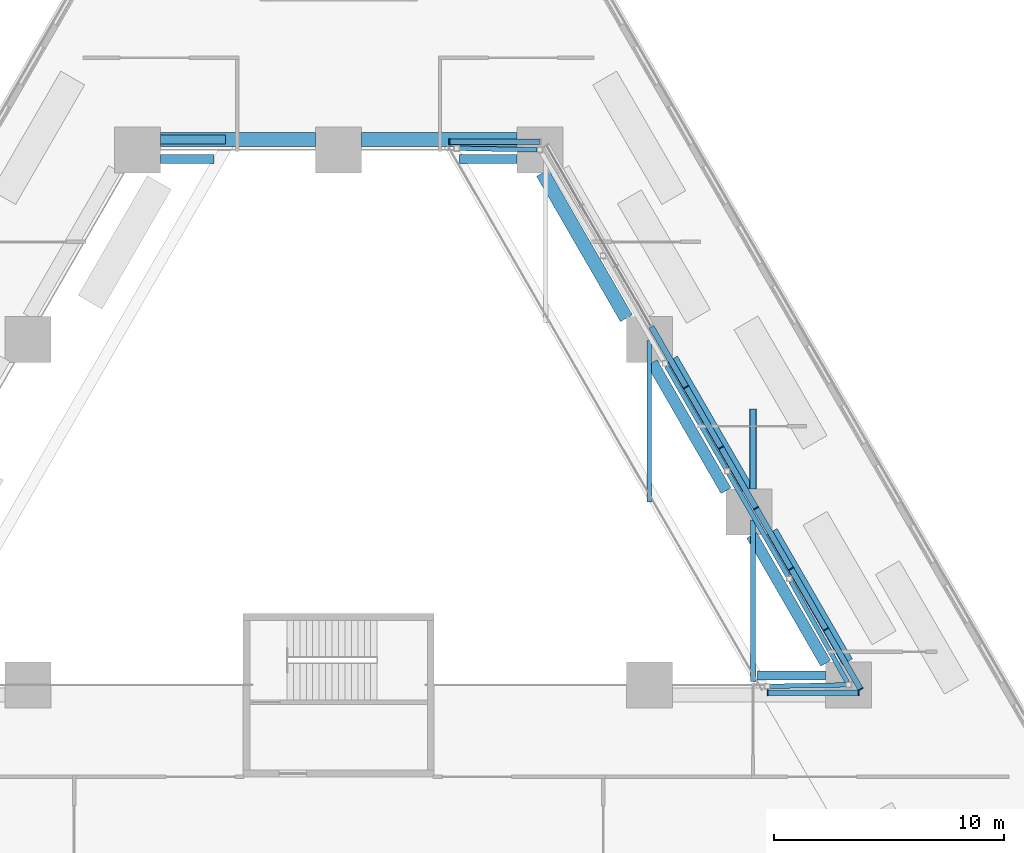
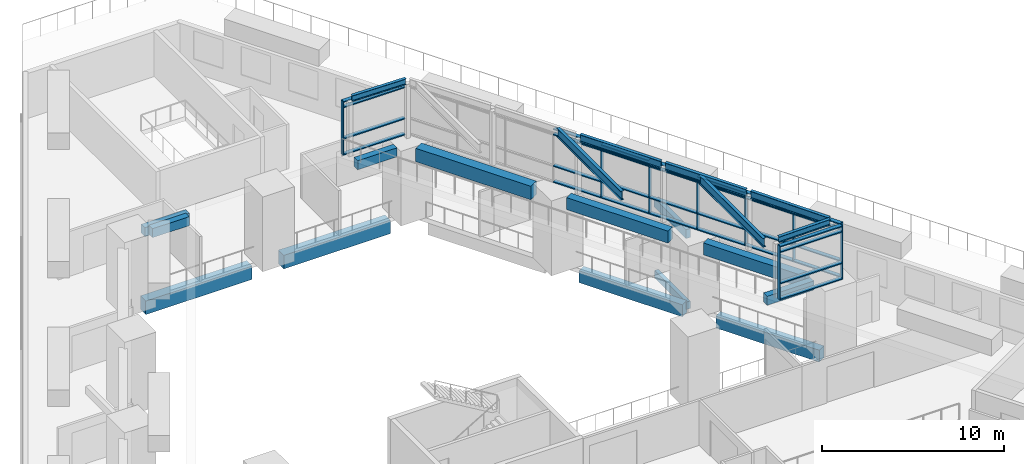
# One storey, part 4 of 19: 41 members, 20 beams, 3 elements without a shape of their own.
"""IFC4 building model written with IfcOpenShell, lengths in metres."""

from ifc_helpers import new_model, si_unit, direction, frame, origin, origin_2d, place, context, subcontext, project, spatial, rectangle, i_section, extrude, material, material_profile, profile_set, type_object, element, aggregate, save


model = new_model("IFC4")

# Units and contexts
model_context = context("Model", 3, precision=1e-05, world=origin(), true_north=direction((0.0, 1.0)))
body_context = subcontext(model_context, "Body", "Model", "MODEL_VIEW")
ifc_project = project(units=[si_unit("LENGTHUNIT", "METRE"), si_unit("AREAUNIT", "SQUARE_METRE"), si_unit("VOLUMEUNIT", "CUBIC_METRE"), si_unit("PLANEANGLEUNIT", "RADIAN"), si_unit("MASSUNIT", "GRAM", prefix="KILO")], contexts=[model_context])

# Site, building, storey
site_placement = place(None, origin())
site = spatial("IfcSite", under=ifc_project, at=site_placement, CompositionType="ELEMENT")
building_placement = place(site_placement, origin())
building = spatial("IfcBuilding", under=site, at=building_placement, Name="Fogline Exchange Tower", CompositionType="ELEMENT")
storey_placement = place(building_placement, frame((0.0, 0.0, 20.0)))
storey = spatial("IfcBuildingStorey", under=building, at=storey_placement, Name="L03", CompositionType="ELEMENT", Elevation=20.0)

# Beams
ifc_material_1 = material(Name="Concrete C40", Category="concrete")
ifc_material_profile_1 = material_profile(ifc_material_1, rectangle(XDim=0.300048828125, YDim=0.60009765625, at=origin_2d()), Name="RC 300x600")
ifc_profile_set_1 = profile_set([ifc_material_profile_1], Name="Concrete C40")
beam_type_1 = type_object("IfcBeamType", Name="B06", PredefinedType="BEAM", material=ifc_profile_set_1)
beam_1_placement = place(storey_placement, frame((18.0, 41.258056640625, 4.25), z_axis=(0.0, 1.0, 0.0), x_axis=(-1.0, 0.0, 0.0)))
element("IfcBeam", 1, at=beam_1_placement, inside=storey, type_object=beam_type_1, Name="SBT018", PredefinedType="BEAM", context=body_context, shape_type="SweptSolid", body=[
    extrude(rectangle(XDim=0.300048828125, YDim=0.60009765625, at=origin_2d()), origin(), (0.0, 0.0, 1.0), 3.491943359375),
])
ifc_material_profile_2 = material_profile(ifc_material_1, rectangle(XDim=0.25, YDim=0.5, at=origin_2d()), Name="RC 250x500")
ifc_profile_set_2 = profile_set([ifc_material_profile_2], Name="Concrete C40")
beam_type_2 = type_object("IfcBeamType", Name="B08", PredefinedType="BEAM", material=ifc_profile_set_2)
beam_2_placement = place(storey_placement, frame((18.0, 41.258056640625, -0.550048828125), z_axis=(0.0, 1.0, 0.0), x_axis=(-1.0, 0.0, 0.0)))
element("IfcBeam", 2, at=beam_2_placement, inside=storey, type_object=beam_type_2, Name="SB029", PredefinedType="BEAM", context=body_context, shape_type="SweptSolid", body=[
    extrude(rectangle(XDim=0.25, YDim=0.5, at=origin_2d()), origin(), (0.0, 0.0, 1.0), 3.491943359375),
])
ifc_material_profile_3 = material_profile(ifc_material_1, rectangle(XDim=0.60009765625, YDim=0.89990234375, at=origin_2d()), Name="RC 600x900")
ifc_profile_set_3 = profile_set([ifc_material_profile_3], Name="Concrete C40")
beam_type_3 = type_object("IfcBeamType", Name="B09", PredefinedType="BEAM", material=ifc_profile_set_3)
for number, where, z_axis, x_axis, name in (
    (3, (-7.739990234375, 56.449951171875, -0.75), (1.0, 0.0, 0.0), (0.0, 1.0, 0.0), "RB001"),
    (4, (1.0, 56.449951171875, -0.75), (1.0, 0.0, 0.0), (0.0, 1.0, 0.0), "RB002"),
):
    element("IfcBeam", number, at=place(storey_placement, frame(where, z_axis=z_axis, x_axis=x_axis)), inside=storey, type_object=beam_type_3, Name=name, PredefinedType="BEAM", context=body_context, shape_type="SweptSolid", body=[
        extrude(rectangle(XDim=0.60009765625, YDim=0.89990234375, at=origin_2d()), origin(), (0.0, 0.0, 1.0), 6.739990234375),
    ])
beam_3_placement = place(storey_placement, frame((8.855712890625, 55.0, 4.550048828125), z_axis=(0.499990172084, -0.86603107786, 0.0), x_axis=(0.86603107786, 0.499990172084, 0.0)))
element("IfcBeam", 5, at=beam_3_placement, inside=storey, type_object=beam_type_3, Name="LBT009", PredefinedType="BEAM", context=body_context, shape_type="SweptSolid", body=[
    extrude(rectangle(XDim=0.60009765625, YDim=0.89990234375, at=origin_2d()), origin(), (0.0, 0.0, 1.0), 7.288818359375),
])
ifc_material_profile_4 = material_profile(ifc_material_1, rectangle(XDim=0.5, YDim=0.800048828125, at=origin_2d()), Name="RC 500x800")
ifc_profile_set_4 = profile_set([ifc_material_profile_4], Name="Concrete C40")
beam_type_4 = type_object("IfcBeamType", Name="B10", PredefinedType="BEAM", material=ifc_profile_set_4)
beam_4_placement = place(storey_placement, frame((14.5, 46.923583984375, -0.699951171875), z_axis=(0.500000270186, -0.866025247793, 0.0), x_axis=(0.866025247793, 0.500000270186, 0.0)))
element("IfcBeam", 6, at=beam_4_placement, inside=storey, type_object=beam_type_4, Name="RB004", PredefinedType="BEAM", context=body_context, shape_type="SweptSolid", body=[
    extrude(rectangle(XDim=0.5, YDim=0.800048828125, at=origin_2d()), origin(), (0.0, 0.0, 1.0), 6.5419921875),
])
beam_5_placement = place(storey_placement, frame((18.8291015625, 39.42578125, -0.699951171875), z_axis=(0.499984111004, -0.866034577106, 0.0), x_axis=(0.866034577106, 0.499984111004, 0.0)))
element("IfcBeam", 7, at=beam_5_placement, inside=storey, type_object=beam_type_4, Name="RB005", PredefinedType="BEAM", context=body_context, shape_type="SweptSolid", body=[
    extrude(rectangle(XDim=0.5, YDim=0.800048828125, at=origin_2d()), origin(), (0.0, 0.0, 1.0), 6.542236328125),
])
for number, where, z_axis, x_axis, name in (
    (8, (13.615234375, 46.756103515625, 4.60009765625), (0.500011789842, -0.866018596809, 0.0), (0.866018596809, 0.500011789842, 0.0), "LBT010"),
    (9, (17.9443359375, 39.258056640625, 4.60009765625), (0.499983302024, -0.866035044151, 0.0), (0.866035044151, 0.499983302024, 0.0), "LBT011"),
):
    element("IfcBeam", number, at=place(storey_placement, frame(where, z_axis=z_axis, x_axis=x_axis)), inside=storey, type_object=beam_type_4, Name=name, PredefinedType="BEAM", context=body_context, shape_type="SweptSolid", body=[
        extrude(rectangle(XDim=0.5, YDim=0.800048828125, at=origin_2d()), origin(), (0.0, 0.0, 1.0), 6.427490234375),
    ])
ifc_material_profile_5 = material_profile(ifc_material_1, rectangle(XDim=0.39990234375, YDim=0.60009765625, at=origin_2d()), Name="RC 400x600")
ifc_profile_set_5 = profile_set([ifc_material_profile_5], Name="Concrete C40")
beam_type_5 = type_object("IfcBeamType", Name="B11", PredefinedType="BEAM", material=ifc_profile_set_5)
beam_6_placement = place(storey_placement, frame((-7.739990234375, 56.449951171875, 4.25), z_axis=(1.0, 0.0, 0.0), x_axis=(0.0, 1.0, 0.0)))
element("IfcBeam", 10, at=beam_6_placement, inside=storey, type_object=beam_type_5, Name="RBT006", PredefinedType="BEAM", context=body_context, shape_type="SweptSolid", body=[
    extrude(rectangle(XDim=0.39990234375, YDim=0.60009765625, at=origin_2d()), origin(), (0.0, 0.0, 1.0), 2.811767578125),
])
beam_7_placement = place(storey_placement, frame((-7.739990234375, 55.60009765625, 4.699951171875), z_axis=(1.0, 0.0, 0.0), x_axis=(0.0, 1.0, 0.0)))
element("IfcBeam", 11, at=beam_7_placement, inside=storey, type_object=beam_type_5, Name="LBT007", PredefinedType="BEAM", context=body_context, shape_type="SweptSolid", body=[
    extrude(rectangle(XDim=0.39990234375, YDim=0.60009765625, at=origin_2d()), origin(), (0.0, 0.0, 1.0), 2.321044921875),
])
beam_8_placement = place(storey_placement, frame((5.24560546875, 55.60009765625, 4.699951171875), z_axis=(1.0, 0.0, 0.0), x_axis=(0.0, 1.0, 0.0)))
element("IfcBeam", 12, at=beam_8_placement, inside=storey, type_object=beam_type_5, Name="LBT008", PredefinedType="BEAM", context=body_context, shape_type="SweptSolid", body=[
    extrude(rectangle(XDim=0.39990234375, YDim=0.60009765625, at=origin_2d()), origin(), (0.0, 0.0, 1.0), 2.494384765625),
])
beam_9_placement = place(storey_placement, frame((21.157958984375, 33.159912109375, 4.699951171875), z_axis=(-1.0, 0.0, 0.0), x_axis=(0.0, -1.0, 0.0)))
element("IfcBeam", 13, at=beam_9_placement, inside=storey, type_object=beam_type_5, Name="LBT013", PredefinedType="BEAM", context=body_context, shape_type="SweptSolid", body=[
    extrude(rectangle(XDim=0.39990234375, YDim=0.60009765625, at=origin_2d()), origin(), (0.0, 0.0, 1.0), 2.95654296875),
])

# Curtain wall, member
ifc_material_2 = material(Name="Aluminium and glass", Category="aluminium")
curtain_wall_type = type_object("IfcCurtainWallType", Name="CW2", PredefinedType="NOTDEFINED", material=ifc_material_2)
curtain_wall_1_placement = place(storey_placement, origin())
curtain_wall_1 = element("IfcCurtainWall", 14, at=curtain_wall_1_placement, inside=storey, type_object=curtain_wall_type, Name="CW2 lantern run 1", PredefinedType="NOTDEFINED")
ifc_material_3 = material(Name="Aluminium", Category="aluminium")
ifc_material_profile_6 = material_profile(ifc_material_3, rectangle(XDim=0.25, YDim=0.050048828125, at=origin_2d()), Name="Mullion 50x250")
ifc_profile_set_6 = profile_set([ifc_material_profile_6], Name="Aluminium")
member_type_1 = type_object("IfcMemberType", Name="CW2-M", PredefinedType="MULLION", material=ifc_profile_set_6)
member_1_placement = place(storey_placement, frame((4.814453125, 56.35009765625, 5.0), z_axis=(0.0, 0.0, 1.0), x_axis=(0.0, -1.0, 0.0)))
member_1 = element("IfcMember", 15, at=member_1_placement, type_object=member_type_1, Name="CW2-P03-01 mullion 2", PredefinedType="MULLION", context=body_context, shape_type="SweptSolid", body=[
    extrude(rectangle(XDim=0.25, YDim=0.050048828125, at=origin_2d()), origin(), (0.0, 0.0, 1.0), 3.60009765625),
])

# Curtain wall, members
curtain_wall_2_placement = place(storey_placement, origin())
curtain_wall_2 = element("IfcCurtainWall", 16, at=curtain_wall_2_placement, inside=storey, type_object=curtain_wall_type, Name="CW2 lantern run 2", PredefinedType="NOTDEFINED")
member_2_placement = place(storey_placement, frame((18.63623046875, 32.409912109375, 5.0), z_axis=(0.0, 0.0, 1.0), x_axis=(0.0, 1.0, 0.0)))
member_2 = element("IfcMember", 17, at=member_2_placement, type_object=member_type_1, Name="CW2-P03-02 mullion 1", PredefinedType="MULLION", context=body_context, shape_type="SweptSolid", body=[
    extrude(rectangle(XDim=0.25, YDim=0.050048828125, at=origin_2d()), origin(), (0.0, 0.0, 1.0), 3.60009765625),
])
member_3_placement = place(storey_placement, frame((22.589111328125, 32.409912109375, 5.0), z_axis=(0.0, 0.0, 1.0), x_axis=(0.0, 1.0, 0.0)))
member_3 = element("IfcMember", 18, at=member_3_placement, type_object=member_type_1, Name="CW2-P03-02 mullion 2", PredefinedType="MULLION", context=body_context, shape_type="SweptSolid", body=[
    extrude(rectangle(XDim=0.25, YDim=0.050048828125, at=origin_2d()), origin(), (0.0, 0.0, 1.0), 3.60009765625),
])

curtain_wall_3_placement = place(storey_placement, origin())
curtain_wall_3 = element("IfcCurtainWall", 19, at=curtain_wall_3_placement, inside=storey, type_object=curtain_wall_type, Name="CW2 lantern run 3", PredefinedType="NOTDEFINED")
member_4_placement = place(storey_placement, frame((22.676513671875, 32.5615234375, 5.0), z_axis=(0.0, 0.0, 1.0), x_axis=(-0.866025401324, -0.500000004262, 0.0)))
member_4 = element("IfcMember", 20, at=member_4_placement, type_object=member_type_1, Name="CW2-P03-03 mullion 1", PredefinedType="MULLION", context=body_context, shape_type="SweptSolid", body=[
    extrude(rectangle(XDim=0.25, YDim=0.050048828125, at=origin_2d()), origin(), (0.0, 0.0, 1.0), 3.60009765625),
])
member_5_placement = place(storey_placement, frame((21.169921875, 35.171142578125, 5.0), z_axis=(0.0, 0.0, 1.0), x_axis=(-0.866025401324, -0.500000004262, 0.0)))
member_5 = element("IfcMember", 21, at=member_5_placement, type_object=member_type_1, Name="CW2-P03-03 mullion 2", PredefinedType="MULLION", context=body_context, shape_type="SweptSolid", body=[
    extrude(rectangle(XDim=0.25, YDim=0.050048828125, at=origin_2d()), origin(), (0.0, 0.0, 1.0), 3.60009765625),
])
member_6_placement = place(storey_placement, frame((19.65087890625, 37.80224609375, 5.0), z_axis=(0.0, 0.0, 1.0), x_axis=(-0.866025401324, -0.500000004262, 0.0)))
member_6 = element("IfcMember", 22, at=member_6_placement, type_object=member_type_1, Name="CW2-P03-03 mullion 3", PredefinedType="MULLION", context=body_context, shape_type="SweptSolid", body=[
    extrude(rectangle(XDim=0.25, YDim=0.050048828125, at=origin_2d()), origin(), (0.0, 0.0, 1.0), 3.60009765625),
])
member_7_placement = place(storey_placement, frame((18.1318359375, 40.433349609375, 5.0), z_axis=(0.0, 0.0, 1.0), x_axis=(-0.866025401324, -0.500000004262, 0.0)))
member_7 = element("IfcMember", 23, at=member_7_placement, type_object=member_type_1, Name="CW2-P03-03 mullion 4", PredefinedType="MULLION", context=body_context, shape_type="SweptSolid", body=[
    extrude(rectangle(XDim=0.25, YDim=0.050048828125, at=origin_2d()), origin(), (0.0, 0.0, 1.0), 3.60009765625),
])
member_8_placement = place(storey_placement, frame((16.61279296875, 43.064453125, 5.0), z_axis=(0.0, 0.0, 1.0), x_axis=(-0.866025401324, -0.500000004262, 0.0)))
member_8 = element("IfcMember", 24, at=member_8_placement, type_object=member_type_1, Name="CW2-P03-03 mullion 5", PredefinedType="MULLION", context=body_context, shape_type="SweptSolid", body=[
    extrude(rectangle(XDim=0.25, YDim=0.050048828125, at=origin_2d()), origin(), (0.0, 0.0, 1.0), 3.60009765625),
])
member_9_placement = place(storey_placement, frame((15.093505859375, 45.695556640625, 5.0), z_axis=(0.0, 0.0, 1.0), x_axis=(-0.866025401324, -0.500000004262, 0.0)))
member_9 = element("IfcMember", 25, at=member_9_placement, type_object=member_type_1, Name="CW2-P03-03 mullion 6", PredefinedType="MULLION", context=body_context, shape_type="SweptSolid", body=[
    extrude(rectangle(XDim=0.25, YDim=0.050048828125, at=origin_2d()), origin(), (0.0, 0.0, 1.0), 3.60009765625),
])

# Member
ifc_material_profile_7 = material_profile(ifc_material_3, rectangle(XDim=0.25, YDim=0.070068359375, at=origin_2d()), Name="Transom 70x250")
ifc_profile_set_7 = profile_set([ifc_material_profile_7], Name="Aluminium")
member_type_2 = type_object("IfcMemberType", Name="CW2-T", PredefinedType="USERDEFINED", material=ifc_profile_set_7)
member_10_placement = place(storey_placement, frame((8.7421875, 56.35009765625, 5.034912109375), z_axis=(-1.0, 0.0, 0.0), x_axis=(0.0, -1.0, 0.0)))
member_10 = element("IfcMember", 26, at=member_10_placement, type_object=member_type_2, Name="CW2-P03-01 transom 1.1", ObjectType="TRANSOM", PredefinedType="USERDEFINED", context=body_context, shape_type="SweptSolid", body=[
    extrude(rectangle(XDim=0.25, YDim=0.070068359375, at=origin_2d()), origin(), (0.0, 0.0, 1.0), 3.902587890625),
])

member_11_placement = place(storey_placement, frame((8.7421875, 56.35009765625, 6.10009765625), z_axis=(-1.0, 0.0, 0.0), x_axis=(0.0, -1.0, 0.0)))
member_11 = element("IfcMember", 27, at=member_11_placement, type_object=member_type_2, Name="CW2-P03-01 transom 1.2", ObjectType="TRANSOM", PredefinedType="USERDEFINED", context=body_context, shape_type="SweptSolid", body=[
    extrude(rectangle(XDim=0.25, YDim=0.070068359375, at=origin_2d()), origin(), (0.0, 0.0, 1.0), 3.902587890625),
])

member_12_placement = place(storey_placement, frame((8.7421875, 56.35009765625, 8.199951171875), z_axis=(-1.0, 0.0, 0.0), x_axis=(0.0, -1.0, 0.0)))
member_12 = element("IfcMember", 28, at=member_12_placement, type_object=member_type_2, Name="CW2-P03-01 transom 1.3", ObjectType="TRANSOM", PredefinedType="USERDEFINED", context=body_context, shape_type="SweptSolid", body=[
    extrude(rectangle(XDim=0.25, YDim=0.070068359375, at=origin_2d()), origin(), (0.0, 0.0, 1.0), 3.902587890625),
])

member_13_placement = place(storey_placement, frame((8.7421875, 56.35009765625, 8.56494140625), z_axis=(-1.0, 0.0, 0.0), x_axis=(0.0, -1.0, 0.0)))
member_13 = element("IfcMember", 29, at=member_13_placement, type_object=member_type_2, Name="CW2-P03-01 transom 1.4", ObjectType="TRANSOM", PredefinedType="USERDEFINED", context=body_context, shape_type="SweptSolid", body=[
    extrude(rectangle(XDim=0.25, YDim=0.070068359375, at=origin_2d()), origin(), (0.0, 0.0, 1.0), 3.902587890625),
])

aggregate(curtain_wall_1, [member_1, member_10, member_11, member_12, member_13])

member_14_placement = place(storey_placement, frame((18.661376953125, 32.409912109375, 5.034912109375), z_axis=(1.0, 0.0, 0.0), x_axis=(0.0, 1.0, 0.0)))
member_14 = element("IfcMember", 30, at=member_14_placement, type_object=member_type_2, Name="CW2-P03-02 transom 1.1", ObjectType="TRANSOM", PredefinedType="USERDEFINED", context=body_context, shape_type="SweptSolid", body=[
    extrude(rectangle(XDim=0.25, YDim=0.070068359375, at=origin_2d()), origin(), (0.0, 0.0, 1.0), 3.902587890625),
])

member_15_placement = place(storey_placement, frame((18.661376953125, 32.409912109375, 6.10009765625), z_axis=(1.0, 0.0, 0.0), x_axis=(0.0, 1.0, 0.0)))
member_15 = element("IfcMember", 31, at=member_15_placement, type_object=member_type_2, Name="CW2-P03-02 transom 1.2", ObjectType="TRANSOM", PredefinedType="USERDEFINED", context=body_context, shape_type="SweptSolid", body=[
    extrude(rectangle(XDim=0.25, YDim=0.070068359375, at=origin_2d()), origin(), (0.0, 0.0, 1.0), 3.902587890625),
])

member_16_placement = place(storey_placement, frame((18.661376953125, 32.409912109375, 8.199951171875), z_axis=(1.0, 0.0, 0.0), x_axis=(0.0, 1.0, 0.0)))
member_16 = element("IfcMember", 32, at=member_16_placement, type_object=member_type_2, Name="CW2-P03-02 transom 1.3", ObjectType="TRANSOM", PredefinedType="USERDEFINED", context=body_context, shape_type="SweptSolid", body=[
    extrude(rectangle(XDim=0.25, YDim=0.070068359375, at=origin_2d()), origin(), (0.0, 0.0, 1.0), 3.902587890625),
])

member_17_placement = place(storey_placement, frame((18.661376953125, 32.409912109375, 8.56494140625), z_axis=(1.0, 0.0, 0.0), x_axis=(0.0, 1.0, 0.0)))
member_17 = element("IfcMember", 33, at=member_17_placement, type_object=member_type_2, Name="CW2-P03-02 transom 1.4", ObjectType="TRANSOM", PredefinedType="USERDEFINED", context=body_context, shape_type="SweptSolid", body=[
    extrude(rectangle(XDim=0.25, YDim=0.070068359375, at=origin_2d()), origin(), (0.0, 0.0, 1.0), 3.902587890625),
])

aggregate(curtain_wall_2, [member_2, member_3, member_14, member_15, member_16, member_17])

member_18_placement = place(storey_placement, frame((22.6640625, 32.583251953125, 5.034912109375), z_axis=(-0.500029124038, 0.86600858836, 0.0), x_axis=(-0.86600858836, -0.500029124038, 0.0)))
member_18 = element("IfcMember", 34, at=member_18_placement, type_object=member_type_2, Name="CW2-P03-03 transom 1.1", ObjectType="TRANSOM", PredefinedType="USERDEFINED", context=body_context, shape_type="SweptSolid", body=[
    extrude(rectangle(XDim=0.25, YDim=0.070068359375, at=origin_2d()), origin(), (0.0, 0.0, 1.0), 2.963134765625),
])

member_19_placement = place(storey_placement, frame((22.6640625, 32.583251953125, 6.10009765625), z_axis=(-0.500029124038, 0.86600858836, 0.0), x_axis=(-0.86600858836, -0.500029124038, 0.0)))
member_19 = element("IfcMember", 35, at=member_19_placement, type_object=member_type_2, Name="CW2-P03-03 transom 1.2", ObjectType="TRANSOM", PredefinedType="USERDEFINED", context=body_context, shape_type="SweptSolid", body=[
    extrude(rectangle(XDim=0.25, YDim=0.070068359375, at=origin_2d()), origin(), (0.0, 0.0, 1.0), 2.963134765625),
])

member_20_placement = place(storey_placement, frame((22.6640625, 32.583251953125, 8.199951171875), z_axis=(-0.500029124038, 0.86600858836, 0.0), x_axis=(-0.86600858836, -0.500029124038, 0.0)))
member_20 = element("IfcMember", 36, at=member_20_placement, type_object=member_type_2, Name="CW2-P03-03 transom 1.3", ObjectType="TRANSOM", PredefinedType="USERDEFINED", context=body_context, shape_type="SweptSolid", body=[
    extrude(rectangle(XDim=0.25, YDim=0.070068359375, at=origin_2d()), origin(), (0.0, 0.0, 1.0), 2.963134765625),
])

member_21_placement = place(storey_placement, frame((22.6640625, 32.583251953125, 8.56494140625), z_axis=(-0.500029124038, 0.86600858836, 0.0), x_axis=(-0.86600858836, -0.500029124038, 0.0)))
member_21 = element("IfcMember", 37, at=member_21_placement, type_object=member_type_2, Name="CW2-P03-03 transom 1.4", ObjectType="TRANSOM", PredefinedType="USERDEFINED", context=body_context, shape_type="SweptSolid", body=[
    extrude(rectangle(XDim=0.25, YDim=0.070068359375, at=origin_2d()), origin(), (0.0, 0.0, 1.0), 2.963134765625),
])

member_22_placement = place(storey_placement, frame((21.157470703125, 35.192626953125, 5.034912109375), z_axis=(-0.500005339912, 0.866022320763, 0.0), x_axis=(-0.866022320763, -0.500005339912, 0.0)))
member_22 = element("IfcMember", 38, at=member_22_placement, type_object=member_type_2, Name="CW2-P03-03 transom 2.1", ObjectType="TRANSOM", PredefinedType="USERDEFINED", context=body_context, shape_type="SweptSolid", body=[
    extrude(rectangle(XDim=0.25, YDim=0.070068359375, at=origin_2d()), origin(), (0.0, 0.0, 1.0), 2.98828125),
])

member_23_placement = place(storey_placement, frame((21.157470703125, 35.192626953125, 6.10009765625), z_axis=(-0.500005339912, 0.866022320763, 0.0), x_axis=(-0.866022320763, -0.500005339912, 0.0)))
member_23 = element("IfcMember", 39, at=member_23_placement, type_object=member_type_2, Name="CW2-P03-03 transom 2.2", ObjectType="TRANSOM", PredefinedType="USERDEFINED", context=body_context, shape_type="SweptSolid", body=[
    extrude(rectangle(XDim=0.25, YDim=0.070068359375, at=origin_2d()), origin(), (0.0, 0.0, 1.0), 2.98828125),
])

member_24_placement = place(storey_placement, frame((21.157470703125, 35.192626953125, 8.199951171875), z_axis=(-0.500005339912, 0.866022320763, 0.0), x_axis=(-0.866022320763, -0.500005339912, 0.0)))
member_24 = element("IfcMember", 40, at=member_24_placement, type_object=member_type_2, Name="CW2-P03-03 transom 2.3", ObjectType="TRANSOM", PredefinedType="USERDEFINED", context=body_context, shape_type="SweptSolid", body=[
    extrude(rectangle(XDim=0.25, YDim=0.070068359375, at=origin_2d()), origin(), (0.0, 0.0, 1.0), 2.98828125),
])

member_25_placement = place(storey_placement, frame((21.157470703125, 35.192626953125, 8.56494140625), z_axis=(-0.500005339912, 0.866022320763, 0.0), x_axis=(-0.866022320763, -0.500005339912, 0.0)))
member_25 = element("IfcMember", 41, at=member_25_placement, type_object=member_type_2, Name="CW2-P03-03 transom 2.4", ObjectType="TRANSOM", PredefinedType="USERDEFINED", context=body_context, shape_type="SweptSolid", body=[
    extrude(rectangle(XDim=0.25, YDim=0.070068359375, at=origin_2d()), origin(), (0.0, 0.0, 1.0), 2.98828125),
])

member_26_placement = place(storey_placement, frame((19.638427734375, 37.82373046875, 5.034912109375), z_axis=(-0.500005339912, 0.866022320763, 0.0), x_axis=(-0.866022320763, -0.500005339912, 0.0)))
member_26 = element("IfcMember", 42, at=member_26_placement, type_object=member_type_2, Name="CW2-P03-03 transom 3.1", ObjectType="TRANSOM", PredefinedType="USERDEFINED", context=body_context, shape_type="SweptSolid", body=[
    extrude(rectangle(XDim=0.25, YDim=0.070068359375, at=origin_2d()), origin(), (0.0, 0.0, 1.0), 2.98828125),
])

member_27_placement = place(storey_placement, frame((19.638427734375, 37.82373046875, 6.10009765625), z_axis=(-0.500005339912, 0.866022320763, 0.0), x_axis=(-0.866022320763, -0.500005339912, 0.0)))
member_27 = element("IfcMember", 43, at=member_27_placement, type_object=member_type_2, Name="CW2-P03-03 transom 3.2", ObjectType="TRANSOM", PredefinedType="USERDEFINED", context=body_context, shape_type="SweptSolid", body=[
    extrude(rectangle(XDim=0.25, YDim=0.070068359375, at=origin_2d()), origin(), (0.0, 0.0, 1.0), 2.98828125),
])

member_28_placement = place(storey_placement, frame((19.638427734375, 37.82373046875, 8.199951171875), z_axis=(-0.500005339912, 0.866022320763, 0.0), x_axis=(-0.866022320763, -0.500005339912, 0.0)))
member_28 = element("IfcMember", 44, at=member_28_placement, type_object=member_type_2, Name="CW2-P03-03 transom 3.3", ObjectType="TRANSOM", PredefinedType="USERDEFINED", context=body_context, shape_type="SweptSolid", body=[
    extrude(rectangle(XDim=0.25, YDim=0.070068359375, at=origin_2d()), origin(), (0.0, 0.0, 1.0), 2.98828125),
])

member_29_placement = place(storey_placement, frame((19.638427734375, 37.82373046875, 8.56494140625), z_axis=(-0.500005339912, 0.866022320763, 0.0), x_axis=(-0.866022320763, -0.500005339912, 0.0)))
member_29 = element("IfcMember", 45, at=member_29_placement, type_object=member_type_2, Name="CW2-P03-03 transom 3.4", ObjectType="TRANSOM", PredefinedType="USERDEFINED", context=body_context, shape_type="SweptSolid", body=[
    extrude(rectangle(XDim=0.25, YDim=0.070068359375, at=origin_2d()), origin(), (0.0, 0.0, 1.0), 2.98828125),
])

member_30_placement = place(storey_placement, frame((18.119384765625, 40.454833984375, 5.034912109375), z_axis=(-0.500005339912, 0.866022320763, 0.0), x_axis=(-0.866022320763, -0.500005339912, 0.0)))
member_30 = element("IfcMember", 46, at=member_30_placement, type_object=member_type_2, Name="CW2-P03-03 transom 4.1", ObjectType="TRANSOM", PredefinedType="USERDEFINED", context=body_context, shape_type="SweptSolid", body=[
    extrude(rectangle(XDim=0.25, YDim=0.070068359375, at=origin_2d()), origin(), (0.0, 0.0, 1.0), 2.98828125),
])

member_31_placement = place(storey_placement, frame((18.119384765625, 40.454833984375, 6.10009765625), z_axis=(-0.500005339912, 0.866022320763, 0.0), x_axis=(-0.866022320763, -0.500005339912, 0.0)))
member_31 = element("IfcMember", 47, at=member_31_placement, type_object=member_type_2, Name="CW2-P03-03 transom 4.2", ObjectType="TRANSOM", PredefinedType="USERDEFINED", context=body_context, shape_type="SweptSolid", body=[
    extrude(rectangle(XDim=0.25, YDim=0.070068359375, at=origin_2d()), origin(), (0.0, 0.0, 1.0), 2.98828125),
])

member_32_placement = place(storey_placement, frame((18.119384765625, 40.454833984375, 8.199951171875), z_axis=(-0.500005339912, 0.866022320763, 0.0), x_axis=(-0.866022320763, -0.500005339912, 0.0)))
member_32 = element("IfcMember", 48, at=member_32_placement, type_object=member_type_2, Name="CW2-P03-03 transom 4.3", ObjectType="TRANSOM", PredefinedType="USERDEFINED", context=body_context, shape_type="SweptSolid", body=[
    extrude(rectangle(XDim=0.25, YDim=0.070068359375, at=origin_2d()), origin(), (0.0, 0.0, 1.0), 2.98828125),
])

member_33_placement = place(storey_placement, frame((18.119384765625, 40.454833984375, 8.56494140625), z_axis=(-0.500005339912, 0.866022320763, 0.0), x_axis=(-0.866022320763, -0.500005339912, 0.0)))
member_33 = element("IfcMember", 49, at=member_33_placement, type_object=member_type_2, Name="CW2-P03-03 transom 4.4", ObjectType="TRANSOM", PredefinedType="USERDEFINED", context=body_context, shape_type="SweptSolid", body=[
    extrude(rectangle(XDim=0.25, YDim=0.070068359375, at=origin_2d()), origin(), (0.0, 0.0, 1.0), 2.98828125),
])

member_34_placement = place(storey_placement, frame((16.60009765625, 43.086181640625, 5.034912109375), z_axis=(-0.499979439554, 0.866037274038, 0.0), x_axis=(-0.866037274038, -0.499979439554, 0.0)))
member_34 = element("IfcMember", 50, at=member_34_placement, type_object=member_type_2, Name="CW2-P03-03 transom 5.1", ObjectType="TRANSOM", PredefinedType="USERDEFINED", context=body_context, shape_type="SweptSolid", body=[
    extrude(rectangle(XDim=0.25, YDim=0.070068359375, at=origin_2d()), origin(), (0.0, 0.0, 1.0), 2.988037109375),
])

member_35_placement = place(storey_placement, frame((16.60009765625, 43.086181640625, 6.10009765625), z_axis=(-0.499979439554, 0.866037274038, 0.0), x_axis=(-0.866037274038, -0.499979439554, 0.0)))
member_35 = element("IfcMember", 51, at=member_35_placement, type_object=member_type_2, Name="CW2-P03-03 transom 5.2", ObjectType="TRANSOM", PredefinedType="USERDEFINED", context=body_context, shape_type="SweptSolid", body=[
    extrude(rectangle(XDim=0.25, YDim=0.070068359375, at=origin_2d()), origin(), (0.0, 0.0, 1.0), 2.988037109375),
])

member_36_placement = place(storey_placement, frame((16.60009765625, 43.086181640625, 8.199951171875), z_axis=(-0.499979439554, 0.866037274038, 0.0), x_axis=(-0.866037274038, -0.499979439554, 0.0)))
member_36 = element("IfcMember", 52, at=member_36_placement, type_object=member_type_2, Name="CW2-P03-03 transom 5.3", ObjectType="TRANSOM", PredefinedType="USERDEFINED", context=body_context, shape_type="SweptSolid", body=[
    extrude(rectangle(XDim=0.25, YDim=0.070068359375, at=origin_2d()), origin(), (0.0, 0.0, 1.0), 2.988037109375),
])

member_37_placement = place(storey_placement, frame((16.60009765625, 43.086181640625, 8.56494140625), z_axis=(-0.499979439554, 0.866037274038, 0.0), x_axis=(-0.866037274038, -0.499979439554, 0.0)))
member_37 = element("IfcMember", 53, at=member_37_placement, type_object=member_type_2, Name="CW2-P03-03 transom 5.4", ObjectType="TRANSOM", PredefinedType="USERDEFINED", context=body_context, shape_type="SweptSolid", body=[
    extrude(rectangle(XDim=0.25, YDim=0.070068359375, at=origin_2d()), origin(), (0.0, 0.0, 1.0), 2.988037109375),
])

member_38_placement = place(storey_placement, frame((15.0810546875, 45.71728515625, 5.034912109375), z_axis=(-0.500040719483, 0.866001893104, 0.0), x_axis=(-0.866001893104, -0.500040719483, 0.0)))
member_38 = element("IfcMember", 54, at=member_38_placement, type_object=member_type_2, Name="CW2-P03-03 transom 6.1", ObjectType="TRANSOM", PredefinedType="USERDEFINED", context=body_context, shape_type="SweptSolid", body=[
    extrude(rectangle(XDim=0.25, YDim=0.070068359375, at=origin_2d()), origin(), (0.0, 0.0, 1.0), 2.988037109375),
])

member_39_placement = place(storey_placement, frame((15.0810546875, 45.71728515625, 6.10009765625), z_axis=(-0.500040719483, 0.866001893104, 0.0), x_axis=(-0.866001893104, -0.500040719483, 0.0)))
member_39 = element("IfcMember", 55, at=member_39_placement, type_object=member_type_2, Name="CW2-P03-03 transom 6.2", ObjectType="TRANSOM", PredefinedType="USERDEFINED", context=body_context, shape_type="SweptSolid", body=[
    extrude(rectangle(XDim=0.25, YDim=0.070068359375, at=origin_2d()), origin(), (0.0, 0.0, 1.0), 2.988037109375),
])

member_40_placement = place(storey_placement, frame((15.0810546875, 45.71728515625, 8.199951171875), z_axis=(-0.500040719483, 0.866001893104, 0.0), x_axis=(-0.866001893104, -0.500040719483, 0.0)))
member_40 = element("IfcMember", 56, at=member_40_placement, type_object=member_type_2, Name="CW2-P03-03 transom 6.3", ObjectType="TRANSOM", PredefinedType="USERDEFINED", context=body_context, shape_type="SweptSolid", body=[
    extrude(rectangle(XDim=0.25, YDim=0.070068359375, at=origin_2d()), origin(), (0.0, 0.0, 1.0), 2.988037109375),
])

member_41_placement = place(storey_placement, frame((15.0810546875, 45.71728515625, 8.56494140625), z_axis=(-0.500040719483, 0.866001893104, 0.0), x_axis=(-0.866001893104, -0.500040719483, 0.0)))
member_41 = element("IfcMember", 57, at=member_41_placement, type_object=member_type_2, Name="CW2-P03-03 transom 6.4", ObjectType="TRANSOM", PredefinedType="USERDEFINED", context=body_context, shape_type="SweptSolid", body=[
    extrude(rectangle(XDim=0.25, YDim=0.070068359375, at=origin_2d()), origin(), (0.0, 0.0, 1.0), 2.988037109375),
])

aggregate(curtain_wall_3, [member_4, member_5, member_6, member_7, member_8, member_9, member_18, member_19, member_20, member_21, member_22, member_23, member_24, member_25, member_26, member_27, member_28, member_29, member_30, member_31, member_32, member_33, member_34, member_35, member_36, member_37, member_38, member_39, member_40, member_41])

# Beams
ifc_material_4 = material(Name="Steel Q355 grade B", Category="steel")
ifc_material_profile_8 = material_profile(ifc_material_4, i_section(OverallWidth=0.199951171875, OverallDepth=0.39990234375, WebThickness=0.008056640625, FlangeThickness=0.012939453125, FilletRadius=0.012939453125, at=origin_2d()), Name="HN400X200X8X13")
ifc_profile_set_8 = profile_set([ifc_material_profile_8], Name="Steel Q355 grade B")
beam_type_6 = type_object("IfcBeamType", Name="LB1", PredefinedType="BEAM", material=ifc_profile_set_8)
beam_10_placement = place(storey_placement, frame((8.614990234375, 56.00244140625, 8.800048828125), z_axis=(-0.99981247602, 0.019365247087, 0.0), x_axis=(-0.019365247087, -0.99981247602, 0.0)))
element("IfcBeam", 58, at=beam_10_placement, inside=storey, type_object=beam_type_6, Name="Lantern ring beam", PredefinedType="BEAM", context=body_context, shape_type="SweptSolid", body=[
    extrude(i_section(OverallWidth=0.199951171875, OverallDepth=0.39990234375, WebThickness=0.008056640625, FlangeThickness=0.012939453125, FilletRadius=0.012939453125, at=origin_2d()), origin(), (0.0, 0.0, 1.0), 3.3662109375),
])
beam_11_placement = place(storey_placement, frame((18.747802734375, 32.6923828125, 8.800048828125), z_axis=(0.999803196712, 0.019838544406, 0.0), x_axis=(-0.019838544406, 0.999803196712, 0.0)))
element("IfcBeam", 59, at=beam_11_placement, inside=storey, type_object=beam_type_6, Name="Lantern ring beam", PredefinedType="BEAM", context=body_context, shape_type="SweptSolid", body=[
    extrude(i_section(OverallWidth=0.199951171875, OverallDepth=0.39990234375, WebThickness=0.008056640625, FlangeThickness=0.012939453125, FilletRadius=0.012939453125, at=origin_2d()), origin(), (0.0, 0.0, 1.0), 3.285888671875),
])
ifc_material_profile_9 = material_profile(ifc_material_4, i_section(OverallWidth=0.199951171875, OverallDepth=0.5, WebThickness=0.010009765625, FlangeThickness=0.01611328125, FilletRadius=0.02001953125, at=origin_2d()), Name="HN500X200X10X16")
ifc_profile_set_9 = profile_set([ifc_material_profile_9], Name="Steel Q355 grade B")
beam_type_7 = type_object("IfcBeamType", Name="LB2", PredefinedType="BEAM", material=ifc_profile_set_9)
beam_12_placement = place(storey_placement, frame((22.087890625, 32.885009765625, 8.75), z_axis=(-0.488472312238, 0.87257939477, 0.0), x_axis=(-0.87257939477, -0.488472312238, 0.0)))
element("IfcBeam", 60, at=beam_12_placement, inside=storey, type_object=beam_type_7, Name="Lantern ring beam", PredefinedType="BEAM", context=body_context, shape_type="SweptSolid", body=[
    extrude(i_section(OverallWidth=0.199951171875, OverallDepth=0.5, WebThickness=0.010009765625, FlangeThickness=0.01611328125, FilletRadius=0.02001953125, at=origin_2d()), origin(), (0.0, 0.0, 1.0), 4.991943359375),
])
beam_13_placement = place(storey_placement, frame((19.507080078125, 37.490966796875, 8.75), z_axis=(-0.499971945101, 0.866041600682, 0.0), x_axis=(-0.866041600682, -0.499971945101, 0.0)))
element("IfcBeam", 61, at=beam_13_placement, inside=storey, type_object=beam_type_7, Name="Lantern ring beam", PredefinedType="BEAM", context=body_context, shape_type="SweptSolid", body=[
    extrude(i_section(OverallWidth=0.199951171875, OverallDepth=0.5, WebThickness=0.010009765625, FlangeThickness=0.01611328125, FilletRadius=0.02001953125, at=origin_2d()), origin(), (0.0, 0.0, 1.0), 5.110595703125),
])
beam_14_placement = place(storey_placement, frame((16.8076171875, 42.1669921875, 8.75), z_axis=(-0.500007773455, 0.866020915732, 0.0), x_axis=(-0.866020915732, -0.500007773455, 0.0)))
element("IfcBeam", 62, at=beam_14_placement, inside=storey, type_object=beam_type_7, Name="Lantern ring beam", PredefinedType="BEAM", context=body_context, shape_type="SweptSolid", body=[
    extrude(i_section(OverallWidth=0.199951171875, OverallDepth=0.5, WebThickness=0.010009765625, FlangeThickness=0.01611328125, FilletRadius=0.02001953125, at=origin_2d()), origin(), (0.0, 0.0, 1.0), 5.11083984375),
])
ifc_material_profile_10 = material_profile(ifc_material_4, i_section(OverallWidth=0.199951171875, OverallDepth=0.60009765625, WebThickness=0.010986328125, FlangeThickness=0.01708984375, FilletRadius=0.02001953125, at=origin_2d()), Name="HN600X200X11X17")
ifc_profile_set_10 = profile_set([ifc_material_profile_10], Name="Steel Q355 grade B")
beam_type_8 = type_object("IfcBeamType", Name="LB3", PredefinedType="BEAM", material=ifc_profile_set_10)
beam_15_placement = place(storey_placement, frame((13.5, 40.703125, 8.699951171875), z_axis=(0.0, 1.0, 0.0), x_axis=(-1.0, 0.0, 0.0)))
element("IfcBeam", 63, at=beam_15_placement, inside=storey, type_object=beam_type_8, Name="Lantern roof beam", PredefinedType="BEAM", context=body_context, shape_type="SweptSolid", body=[
    extrude(i_section(OverallWidth=0.199951171875, OverallDepth=0.60009765625, WebThickness=0.010986328125, FlangeThickness=0.01708984375, FilletRadius=0.02001953125, at=origin_2d()), origin(), (0.0, 0.0, 1.0), 7.0126953125),
])
beam_16_placement = place(storey_placement, frame((18.0, 32.908935546875, 8.699951171875), z_axis=(0.0, 1.0, 0.0), x_axis=(-1.0, 0.0, 0.0)))
element("IfcBeam", 64, at=beam_16_placement, inside=storey, type_object=beam_type_8, Name="Lantern roof beam", PredefinedType="BEAM", context=body_context, shape_type="SweptSolid", body=[
    extrude(i_section(OverallWidth=0.199951171875, OverallDepth=0.60009765625, WebThickness=0.010986328125, FlangeThickness=0.01708984375, FilletRadius=0.02001953125, at=origin_2d()), origin(), (0.0, 0.0, 1.0), 7.012451171875),
])

save(model, "model.ifc")
